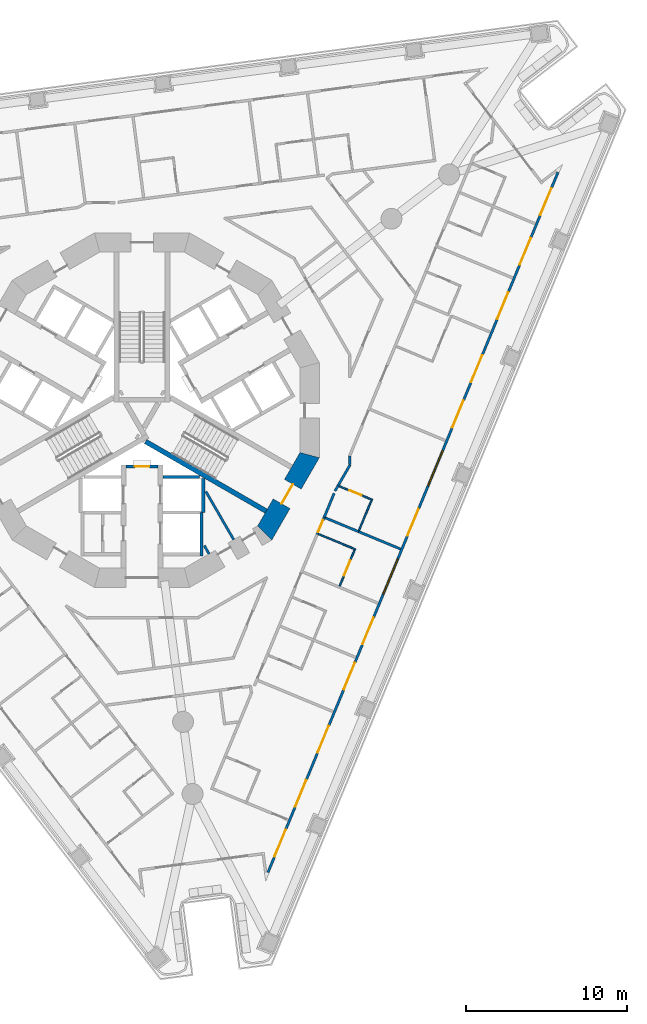
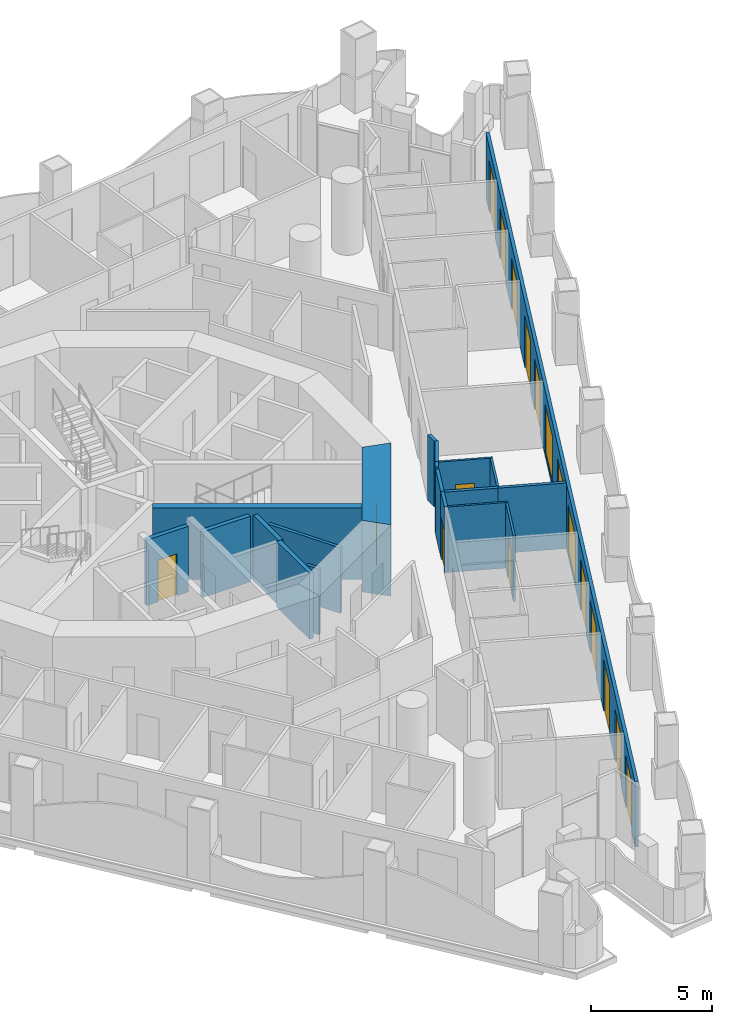
# One storey, part 5 of 19: 20 walls, 16 doors, 2 windows, 18 openings.
"""IFC4 building model written with IfcOpenShell, lengths in metres."""

from ifc_helpers import new_model, si_unit, direction, frame, frame_2d, origin, place, context, subcontext, project, spatial, polyline, rectangle, outline, extrude, material, layer, layer_set, type_object, element, fill, save


model = new_model("IFC4")

# Units and contexts
model_context = context("Model", 3, precision=1e-05, world=origin(), true_north=direction((0.0, 1.0)))
body_context = subcontext(model_context, "Body", "Model", "MODEL_VIEW")
ifc_project = project(units=[si_unit("LENGTHUNIT", "METRE"), si_unit("AREAUNIT", "SQUARE_METRE"), si_unit("VOLUMEUNIT", "CUBIC_METRE"), si_unit("PLANEANGLEUNIT", "RADIAN"), si_unit("MASSUNIT", "GRAM", prefix="KILO")], contexts=[model_context])

# Site, building, storey
site_placement = place(None, origin())
site = spatial("IfcSite", under=ifc_project, at=site_placement, CompositionType="ELEMENT")
building_placement = place(site_placement, origin())
building = spatial("IfcBuilding", under=site, at=building_placement, Name="Trine Commons Tower", CompositionType="ELEMENT")
storey_placement = place(building_placement, frame((0.0, 0.0, 72.0)))
storey = spatial("IfcBuildingStorey", under=building, at=storey_placement, Name="L17", CompositionType="ELEMENT", Elevation=72.0)

# Walls
ifc_material_1 = material(Name="Plasterboard partition on steel studs", Category="steel")
ifc_layer_1 = layer(ifc_material_1, 0.14990234375)
ifc_layer_set_1 = layer_set([ifc_layer_1], Name="Plasterboard partition on steel studs")
wall_type_1 = type_object("IfcWallType", Name="Core room partition 150 mm, EI 60", PredefinedType="PARTITIONING", material=ifc_layer_set_1)
wall_1_placement = place(storey_placement, frame((84.1640625, 53.574951171875, 0.0), z_axis=(0.0, 0.0, 1.0), x_axis=(-0.500665675203, 0.865640734759, 0.0)))
element("IfcWall", 1, at=wall_1_placement, inside=storey, type_object=wall_type_1, Name="Core room partition L17", PredefinedType="PARTITIONING", context=body_context, shape_type="SweptSolid", body=[
    extrude(rectangle(XDim=0.597412109375, YDim=0.14990234375, at=frame_2d((0.298828125, 0.0))), origin(), (0.0, 0.0, 1.0), 3.300048828125),
])
wall_2_placement = place(storey_placement, frame((85.693115234375, 54.4580078125, 0.0), z_axis=(0.0, 0.0, 1.0), x_axis=(-0.500258757272, 0.865875958653, 0.0)))
element("IfcWall", 2, at=wall_2_placement, inside=storey, type_object=wall_type_1, Name="Core room partition L17", PredefinedType="PARTITIONING", context=body_context, shape_type="SweptSolid", body=[
    extrude(rectangle(XDim=3.454345703125, YDim=0.14990234375, at=frame_2d((1.72705078125, 0.0))), origin(), (0.0, 0.0, 1.0), 3.300048828125),
])

# Wall, openings, windows, doors
ifc_material_2 = material(Name="Aluminium-framed insulated wall panel", Category="aluminium")
ifc_layer_2 = layer(ifc_material_2, 0.14990234375)
ifc_layer_set_2 = layer_set([ifc_layer_2], Name="Aluminium-framed insulated wall panel")
wall_type_2 = type_object("IfcWallType", Name="Glazed frame wall 150, EI 60", PredefinedType="SOLIDWALL", material=ifc_layer_set_2)
wall_3_placement = place(storey_placement, frame((105.888671875, 77.410888671875, 0.0), z_axis=(0.0, 0.0, 1.0), x_axis=(-0.38268395344, -0.923879316675, 0.0)))
wall_3 = element("IfcWall", 3, at=wall_3_placement, inside=storey, type_object=wall_type_2, Name="Glazed frame wall F2", PredefinedType="SOLIDWALL", context=body_context, shape_type="SweptSolid", body=[
    extrude(outline(polyline([(0.1494140625, 0.074951171875), (0.1494140625, -0.074951171875), (47.216796875, -0.074951171875), (47.216796875, 0.074951171875), (0.1494140625, 0.074951171875)])), origin(), (0.0, 0.0, 1.0), 3.300048828125),
])
opening_1_placement = place(wall_3_placement, frame((1.2216796875, 0.0, 0.0)))
opening_1 = element("IfcOpeningElement", 4, at=opening_1_placement, cuts=wall_3, Name="Opening BD-2F2-01", PredefinedType="OPENING", context=body_context, shape_type="SweptSolid", body=[
    extrude(rectangle(XDim=1.800048828125, YDim=2.60009765625, at=frame_2d((0.89990234375, 1.300048828125))), frame((0.0, 0.0849609375, 0.0), z_axis=(0.0, -1.0, 0.0), x_axis=(1.0, 0.0, 0.0)), (0.0, 0.0, 1.0), 0.169921875),
])
opening_2_placement = place(wall_3_placement, frame((4.5654296875, 0.0, 0.0)))
opening_2 = element("IfcOpeningElement", 5, at=opening_2_placement, cuts=wall_3, Name="Opening BD-2F2-02", PredefinedType="OPENING", context=body_context, shape_type="SweptSolid", body=[
    extrude(rectangle(XDim=1.800048828125, YDim=2.60009765625, at=frame_2d((0.89990234375, 1.300048828125))), frame((0.0, 0.0849609375, 0.0), z_axis=(0.0, -1.0, 0.0), x_axis=(1.0, 0.0, 0.0)), (0.0, 0.0, 1.0), 0.169921875),
])
opening_3_placement = place(wall_3_placement, frame((8.208984375, 0.0, 0.0)))
opening_3 = element("IfcOpeningElement", 6, at=opening_3_placement, cuts=wall_3, Name="Opening BD-2F2-03", PredefinedType="OPENING", context=body_context, shape_type="SweptSolid", body=[
    extrude(rectangle(XDim=1.800048828125, YDim=2.60009765625, at=frame_2d((0.89990234375, 1.300048828125))), frame((0.0, 0.0849609375, 0.0), z_axis=(0.0, -1.0, 0.0), x_axis=(1.0, 0.0, 0.0)), (0.0, 0.0, 1.0), 0.169921875),
])
opening_4_placement = place(wall_3_placement, frame((12.45263671875, 0.0, 0.0)))
opening_4 = element("IfcOpeningElement", 7, at=opening_4_placement, cuts=wall_3, Name="Opening BD-2F2-04", PredefinedType="OPENING", context=body_context, shape_type="SweptSolid", body=[
    extrude(rectangle(XDim=1.800048828125, YDim=2.60009765625, at=frame_2d((0.89990234375, 1.300048828125))), frame((0.0, 0.0849609375, 0.0), z_axis=(0.0, -1.0, 0.0), x_axis=(1.0, 0.0, 0.0)), (0.0, 0.0, 1.0), 0.169921875),
])
opening_5_placement = place(wall_3_placement, frame((15.49609375, 0.0, 0.0)))
opening_5 = element("IfcOpeningElement", 8, at=opening_5_placement, cuts=wall_3, Name="Opening BD-2F2-05", PredefinedType="OPENING", context=body_context, shape_type="SweptSolid", body=[
    extrude(rectangle(XDim=1.800048828125, YDim=2.60009765625, at=frame_2d((0.89990234375, 1.300048828125))), frame((0.0, 0.0849609375, 0.0), z_axis=(0.0, -1.0, 0.0), x_axis=(1.0, 0.0, 0.0)), (0.0, 0.0, 1.0), 0.169921875),
])
opening_6_placement = place(wall_3_placement, frame((18.83984375, 0.0, 0.14990234375)))
opening_6 = element("IfcOpeningElement", 9, at=opening_6_placement, cuts=wall_3, Name="Opening W-2F2-06", PredefinedType="OPENING", context=body_context, shape_type="SweptSolid", body=[
    extrude(rectangle(XDim=2.39990234375, YDim=2.449951171875, at=frame_2d((1.199951171875, 1.22509765625))), frame((0.0, 0.0849609375, 0.0), z_axis=(0.0, -1.0, 0.0), x_axis=(1.0, 0.0, 0.0)), (0.0, 0.0, 1.0), 0.169921875),
])
opening_7_placement = place(wall_3_placement, frame((22.783447265625, 0.0, 0.0)))
opening_7 = element("IfcOpeningElement", 10, at=opening_7_placement, cuts=wall_3, Name="Opening BD-2F2-07", PredefinedType="OPENING", context=body_context, shape_type="SweptSolid", body=[
    extrude(rectangle(XDim=1.800048828125, YDim=2.60009765625, at=frame_2d((0.89990234375, 1.300048828125))), frame((0.0, 0.0849609375, 0.0), z_axis=(0.0, -1.0, 0.0), x_axis=(1.0, 0.0, 0.0)), (0.0, 0.0, 1.0), 0.169921875),
])
opening_8_placement = place(wall_3_placement, frame((26.126953125, 0.0, 0.14990234375)))
opening_8 = element("IfcOpeningElement", 11, at=opening_8_placement, cuts=wall_3, Name="Opening W-2F2-08", PredefinedType="OPENING", context=body_context, shape_type="SweptSolid", body=[
    extrude(rectangle(XDim=2.39990234375, YDim=2.449951171875, at=frame_2d((1.199951171875, 1.22509765625))), frame((0.0, 0.0849609375, 0.0), z_axis=(0.0, -1.0, 0.0), x_axis=(1.0, 0.0, 0.0)), (0.0, 0.0, 1.0), 0.169921875),
])
opening_9_placement = place(wall_3_placement, frame((30.070556640625, 0.0, 0.0)))
opening_9 = element("IfcOpeningElement", 12, at=opening_9_placement, cuts=wall_3, Name="Opening BD-2F2-09", PredefinedType="OPENING", context=body_context, shape_type="SweptSolid", body=[
    extrude(rectangle(XDim=1.800048828125, YDim=2.60009765625, at=frame_2d((0.89990234375, 1.300048828125))), frame((0.0, 0.0849609375, 0.0), z_axis=(0.0, -1.0, 0.0), x_axis=(1.0, 0.0, 0.0)), (0.0, 0.0, 1.0), 0.169921875),
])
opening_10_placement = place(wall_3_placement, frame((33.1142578125, 0.0, 0.0)))
opening_10 = element("IfcOpeningElement", 13, at=opening_10_placement, cuts=wall_3, Name="Opening BD-2F2-10", PredefinedType="OPENING", context=body_context, shape_type="SweptSolid", body=[
    extrude(rectangle(XDim=1.800048828125, YDim=2.60009765625, at=frame_2d((0.89990234375, 1.300048828125))), frame((0.0, 0.0849609375, 0.0), z_axis=(0.0, -1.0, 0.0), x_axis=(1.0, 0.0, 0.0)), (0.0, 0.0, 1.0), 0.169921875),
])
opening_11_placement = place(wall_3_placement, frame((37.35791015625, 0.0, 0.0)))
opening_11 = element("IfcOpeningElement", 14, at=opening_11_placement, cuts=wall_3, Name="Opening BD-2F2-11", PredefinedType="OPENING", context=body_context, shape_type="SweptSolid", body=[
    extrude(rectangle(XDim=1.800048828125, YDim=2.60009765625, at=frame_2d((0.89990234375, 1.300048828125))), frame((0.0, 0.0849609375, 0.0), z_axis=(0.0, -1.0, 0.0), x_axis=(1.0, 0.0, 0.0)), (0.0, 0.0, 1.0), 0.169921875),
])
opening_12_placement = place(wall_3_placement, frame((41.00146484375, 0.0, 0.0)))
opening_12 = element("IfcOpeningElement", 15, at=opening_12_placement, cuts=wall_3, Name="Opening BD-2F2-12", PredefinedType="OPENING", context=body_context, shape_type="SweptSolid", body=[
    extrude(rectangle(XDim=1.800048828125, YDim=2.60009765625, at=frame_2d((0.89990234375, 1.300048828125))), frame((0.0, 0.0849609375, 0.0), z_axis=(0.0, -1.0, 0.0), x_axis=(1.0, 0.0, 0.0)), (0.0, 0.0, 1.0), 0.169921875),
])
opening_13_placement = place(wall_3_placement, frame((44.344970703125, 0.0, 0.0)))
opening_13 = element("IfcOpeningElement", 16, at=opening_13_placement, cuts=wall_3, Name="Opening BD-2F2-13", PredefinedType="OPENING", context=body_context, shape_type="SweptSolid", body=[
    extrude(rectangle(XDim=1.800048828125, YDim=2.60009765625, at=frame_2d((0.89990234375, 1.300048828125))), frame((0.0, 0.0849609375, 0.0), z_axis=(0.0, -1.0, 0.0), x_axis=(1.0, 0.0, 0.0)), (0.0, 0.0, 1.0), 0.169921875),
])
ifc_material_3 = material(Name="Anodised aluminium frame with double glazing", Category="aluminium")
window_type = type_object("IfcWindowType", Name="Fixed window 2400x2450", PartitioningType="SINGLE_PANEL", PredefinedType="WINDOW", material=ifc_material_3)
window_1_placement = place(opening_6_placement, origin())
window_1 = element("IfcWindow", 17, at=window_1_placement, inside=storey, type_object=window_type, Name="Window F2 6", OverallHeight=2.449951171875, OverallWidth=2.39990234375, PartitioningType="SINGLE_PANEL", PredefinedType="WINDOW", context=body_context, shape_type="SweptSolid", body=[
    extrude(rectangle(XDim=2.39990234375, YDim=2.449951171875, at=frame_2d((1.199951171875, 1.22509765625))), frame((0.0, 0.030029296875, 0.0), z_axis=(0.0, -1.0, 0.0), x_axis=(1.0, 0.0, 0.0)), (0.0, 0.0, 1.0), 0.06005859375),
])
fill(opening_6, window_1)
window_2_placement = place(opening_8_placement, origin())
window_2 = element("IfcWindow", 18, at=window_2_placement, inside=storey, type_object=window_type, Name="Window F2 8", OverallHeight=2.449951171875, OverallWidth=2.39990234375, PartitioningType="SINGLE_PANEL", PredefinedType="WINDOW", context=body_context, shape_type="SweptSolid", body=[
    extrude(rectangle(XDim=2.39990234375, YDim=2.449951171875, at=frame_2d((1.199951171875, 1.22509765625))), frame((0.0, 0.030029296875, 0.0), z_axis=(0.0, -1.0, 0.0), x_axis=(1.0, 0.0, 0.0)), (0.0, 0.0, 1.0), 0.06005859375),
])
fill(opening_8, window_2)
door_type_1 = type_object("IfcDoorType", Name="Sliding loggia door 1800x2600", OperationType="SLIDING_TO_LEFT", PredefinedType="DOOR", material=ifc_material_3)
door_1_placement = place(opening_1_placement, origin())
door_1 = element("IfcDoor", 19, at=door_1_placement, inside=storey, type_object=door_type_1, Name="Loggia door F2 1", OperationType="SLIDING_TO_LEFT", OverallHeight=2.60009765625, OverallWidth=1.800048828125, PredefinedType="DOOR", context=body_context, shape_type="SweptSolid", body=[
    extrude(rectangle(XDim=1.800048828125, YDim=2.60009765625, at=frame_2d((0.89990234375, 1.300048828125))), frame((0.0, 0.02490234375, 0.0), z_axis=(0.0, -1.0, 0.0), x_axis=(1.0, 0.0, 0.0)), (0.0, 0.0, 1.0), 0.050048828125),
])
fill(opening_1, door_1)
door_2_placement = place(opening_2_placement, origin())
door_2 = element("IfcDoor", 20, at=door_2_placement, inside=storey, type_object=door_type_1, Name="Loggia door F2 2", OperationType="SLIDING_TO_LEFT", OverallHeight=2.60009765625, OverallWidth=1.800048828125, PredefinedType="DOOR", context=body_context, shape_type="SweptSolid", body=[
    extrude(rectangle(XDim=1.800048828125, YDim=2.60009765625, at=frame_2d((0.89990234375, 1.300048828125))), frame((0.0, 0.02490234375, 0.0), z_axis=(0.0, -1.0, 0.0), x_axis=(1.0, 0.0, 0.0)), (0.0, 0.0, 1.0), 0.050048828125),
])
fill(opening_2, door_2)
door_3_placement = place(opening_3_placement, origin())
door_3 = element("IfcDoor", 21, at=door_3_placement, inside=storey, type_object=door_type_1, Name="Loggia door F2 3", OperationType="SLIDING_TO_LEFT", OverallHeight=2.60009765625, OverallWidth=1.800048828125, PredefinedType="DOOR", context=body_context, shape_type="SweptSolid", body=[
    extrude(rectangle(XDim=1.800048828125, YDim=2.60009765625, at=frame_2d((0.89990234375, 1.300048828125))), frame((0.0, 0.02490234375, 0.0), z_axis=(0.0, -1.0, 0.0), x_axis=(1.0, 0.0, 0.0)), (0.0, 0.0, 1.0), 0.050048828125),
])
fill(opening_3, door_3)
door_4_placement = place(opening_4_placement, origin())
door_4 = element("IfcDoor", 22, at=door_4_placement, inside=storey, type_object=door_type_1, Name="Loggia door F2 4", OperationType="SLIDING_TO_LEFT", OverallHeight=2.60009765625, OverallWidth=1.800048828125, PredefinedType="DOOR", context=body_context, shape_type="SweptSolid", body=[
    extrude(rectangle(XDim=1.800048828125, YDim=2.60009765625, at=frame_2d((0.89990234375, 1.300048828125))), frame((0.0, 0.02490234375, 0.0), z_axis=(0.0, -1.0, 0.0), x_axis=(1.0, 0.0, 0.0)), (0.0, 0.0, 1.0), 0.050048828125),
])
fill(opening_4, door_4)
door_5_placement = place(opening_5_placement, origin())
door_5 = element("IfcDoor", 23, at=door_5_placement, inside=storey, type_object=door_type_1, Name="Loggia door F2 5", OperationType="SLIDING_TO_LEFT", OverallHeight=2.60009765625, OverallWidth=1.800048828125, PredefinedType="DOOR", context=body_context, shape_type="SweptSolid", body=[
    extrude(rectangle(XDim=1.800048828125, YDim=2.60009765625, at=frame_2d((0.89990234375, 1.300048828125))), frame((0.0, 0.02490234375, 0.0), z_axis=(0.0, -1.0, 0.0), x_axis=(1.0, 0.0, 0.0)), (0.0, 0.0, 1.0), 0.050048828125),
])
fill(opening_5, door_5)
door_6_placement = place(opening_7_placement, origin())
door_6 = element("IfcDoor", 24, at=door_6_placement, inside=storey, type_object=door_type_1, Name="Loggia door F2 7", OperationType="SLIDING_TO_LEFT", OverallHeight=2.60009765625, OverallWidth=1.800048828125, PredefinedType="DOOR", context=body_context, shape_type="SweptSolid", body=[
    extrude(rectangle(XDim=1.800048828125, YDim=2.60009765625, at=frame_2d((0.89990234375, 1.300048828125))), frame((0.0, 0.02490234375, 0.0), z_axis=(0.0, -1.0, 0.0), x_axis=(1.0, 0.0, 0.0)), (0.0, 0.0, 1.0), 0.050048828125),
])
fill(opening_7, door_6)
door_7_placement = place(opening_9_placement, origin())
door_7 = element("IfcDoor", 25, at=door_7_placement, inside=storey, type_object=door_type_1, Name="Loggia door F2 9", OperationType="SLIDING_TO_LEFT", OverallHeight=2.60009765625, OverallWidth=1.800048828125, PredefinedType="DOOR", context=body_context, shape_type="SweptSolid", body=[
    extrude(rectangle(XDim=1.800048828125, YDim=2.60009765625, at=frame_2d((0.89990234375, 1.300048828125))), frame((0.0, 0.02490234375, 0.0), z_axis=(0.0, -1.0, 0.0), x_axis=(1.0, 0.0, 0.0)), (0.0, 0.0, 1.0), 0.050048828125),
])
fill(opening_9, door_7)
door_8_placement = place(opening_10_placement, origin())
door_8 = element("IfcDoor", 26, at=door_8_placement, inside=storey, type_object=door_type_1, Name="Loggia door F2 10", OperationType="SLIDING_TO_LEFT", OverallHeight=2.60009765625, OverallWidth=1.800048828125, PredefinedType="DOOR", context=body_context, shape_type="SweptSolid", body=[
    extrude(rectangle(XDim=1.800048828125, YDim=2.60009765625, at=frame_2d((0.89990234375, 1.300048828125))), frame((0.0, 0.02490234375, 0.0), z_axis=(0.0, -1.0, 0.0), x_axis=(1.0, 0.0, 0.0)), (0.0, 0.0, 1.0), 0.050048828125),
])
fill(opening_10, door_8)
door_9_placement = place(opening_11_placement, origin())
door_9 = element("IfcDoor", 27, at=door_9_placement, inside=storey, type_object=door_type_1, Name="Loggia door F2 11", OperationType="SLIDING_TO_LEFT", OverallHeight=2.60009765625, OverallWidth=1.800048828125, PredefinedType="DOOR", context=body_context, shape_type="SweptSolid", body=[
    extrude(rectangle(XDim=1.800048828125, YDim=2.60009765625, at=frame_2d((0.89990234375, 1.300048828125))), frame((0.0, 0.02490234375, 0.0), z_axis=(0.0, -1.0, 0.0), x_axis=(1.0, 0.0, 0.0)), (0.0, 0.0, 1.0), 0.050048828125),
])
fill(opening_11, door_9)
door_10_placement = place(opening_12_placement, origin())
door_10 = element("IfcDoor", 28, at=door_10_placement, inside=storey, type_object=door_type_1, Name="Loggia door F2 12", OperationType="SLIDING_TO_LEFT", OverallHeight=2.60009765625, OverallWidth=1.800048828125, PredefinedType="DOOR", context=body_context, shape_type="SweptSolid", body=[
    extrude(rectangle(XDim=1.800048828125, YDim=2.60009765625, at=frame_2d((0.89990234375, 1.300048828125))), frame((0.0, 0.02490234375, 0.0), z_axis=(0.0, -1.0, 0.0), x_axis=(1.0, 0.0, 0.0)), (0.0, 0.0, 1.0), 0.050048828125),
])
fill(opening_12, door_10)
door_11_placement = place(opening_13_placement, origin())
door_11 = element("IfcDoor", 29, at=door_11_placement, inside=storey, type_object=door_type_1, Name="Loggia door F2 13", OperationType="SLIDING_TO_LEFT", OverallHeight=2.60009765625, OverallWidth=1.800048828125, PredefinedType="DOOR", context=body_context, shape_type="SweptSolid", body=[
    extrude(rectangle(XDim=1.800048828125, YDim=2.60009765625, at=frame_2d((0.89990234375, 1.300048828125))), frame((0.0, 0.02490234375, 0.0), z_axis=(0.0, -1.0, 0.0), x_axis=(1.0, 0.0, 0.0)), (0.0, 0.0, 1.0), 0.050048828125),
])
fill(opening_13, door_11)

# Wall, opening, door
ifc_material_4 = material(Name="Fire-rated gypsum shaft wall system")
ifc_layer_3 = layer(ifc_material_4, 0.199951171875)
ifc_layer_set_3 = layer_set([ifc_layer_3], Name="Fire-rated gypsum shaft wall system")
wall_type_3 = type_object("IfcWallType", Name="Lobby end wall 200 mm, EI 120", PredefinedType="PARTITIONING", material=ifc_layer_set_3)
wall_4_placement = place(storey_placement, frame((79.0, 59.0, 0.0), z_axis=(0.0, 0.0, 1.0), x_axis=(1.0, 0.0, 0.0)))
wall_4 = element("IfcWall", 30, at=wall_4_placement, inside=storey, type_object=wall_type_3, Name="Lobby end wall L17", PredefinedType="PARTITIONING", context=body_context, shape_type="SweptSolid", body=[
    extrude(rectangle(XDim=2.0, YDim=0.199951171875, at=frame_2d((1.0, 0.0))), origin(), (0.0, 0.0, 1.0), 3.300048828125),
])
opening_14_placement = place(wall_4_placement, frame((0.550048828125, 0.0, 0.0)))
opening_14 = element("IfcOpeningElement", 31, at=opening_14_placement, cuts=wall_4, Name="Opening K04.09", PredefinedType="OPENING", context=body_context, shape_type="SweptSolid", body=[
    extrude(rectangle(XDim=0.89990234375, YDim=2.10009765625, at=frame_2d((0.449951171875, 1.050048828125))), frame((0.0, 0.10986328125, 0.0), z_axis=(0.0, -1.0, 0.0), x_axis=(1.0, 0.0, 0.0)), (0.0, 0.0, 1.0), 0.219970703125),
])
ifc_material_5 = material(Name="Steel door leaf, fire-rated", Category="steel")
door_type_2 = type_object("IfcDoorType", Name="Riser access door, single leaf 900 x 2100, FD60", OperationType="SINGLE_SWING_LEFT", PredefinedType="DOOR", material=ifc_material_5)
door_12_placement = place(opening_14_placement, frame((0.89990234375, 0.0, 0.0), z_axis=(0.0, 0.0, 1.0), x_axis=(-1.0, 0.0, 0.0)))
door_12 = element("IfcDoor", 32, at=door_12_placement, inside=storey, type_object=door_type_2, Name="Riser door, Communications riser L17", OperationType="SINGLE_SWING_RIGHT", OverallHeight=2.10009765625, OverallWidth=0.89990234375, PredefinedType="DOOR", context=body_context, shape_type="SweptSolid", body=[
    extrude(rectangle(XDim=0.89990234375, YDim=2.10009765625, at=frame_2d((0.449951171875, 1.050048828125))), frame((0.0, 0.02490234375, 0.0), z_axis=(0.0, -1.0, 0.0), x_axis=(1.0, 0.0, 0.0)), (0.0, 0.0, 1.0), 0.050048828125),
])
fill(opening_14, door_12)

ifc_material_6 = material(Name="Concrete C80/95", Category="concrete")
ifc_layer_4 = layer(ifc_material_6, 1.199951171875)
ifc_layer_set_4 = layer_set([ifc_layer_4], Name="Concrete C80/95")
wall_type_4 = type_object("IfcWallType", Name="RC shear wall 1200 mm, C80/95", PredefinedType="SHEAR", material=ifc_layer_set_4)
wall_5_placement = place(storey_placement, frame((87.54150390625, 54.739013671875, 0.0), z_axis=(0.0, 0.0, 1.0), x_axis=(0.499979111662, 0.866037463336, 0.0)))
wall_5 = element("IfcWall", 33, at=wall_5_placement, inside=storey, type_object=wall_type_4, Name="Core wall CWB-12 L17", PredefinedType="SHEAR", context=body_context, shape_type="SweptSolid", body=[
    extrude(outline(polyline([(0.0, -0.60009765625), (5.901123046875, -0.60009765625), (5.57958984375, 0.60009765625), (0.321533203125, 0.60009765625), (0.0, -0.60009765625)])), origin(), (0.0, 0.0, 1.0), 3.60009765625),
])
opening_15_placement = place(wall_5_placement, frame((2.25048828125, 0.0, 0.0)))
opening_15 = element("IfcOpeningElement", 34, at=opening_15_placement, cuts=wall_5, Name="Opening K04.03", PredefinedType="OPENING", context=body_context, shape_type="SweptSolid", body=[
    extrude(rectangle(XDim=1.39990234375, YDim=2.10009765625, at=frame_2d((0.699951171875, 1.050048828125))), frame((0.0, 0.60986328125, 0.0), z_axis=(0.0, -1.0, 0.0), x_axis=(1.0, 0.0, 0.0)), (0.0, 0.0, 1.0), 1.219970703125),
])
ifc_material_7 = material(Name="Steel door leaves, fire-rated", Category="steel")
door_type_3 = type_object("IfcDoorType", Name="Stair door, double leaf 1400 x 2100, FD90", OperationType="DOUBLE_DOOR_SINGLE_SWING", PredefinedType="DOOR", material=ifc_material_7)
door_13_placement = place(opening_15_placement, origin())
door_13 = element("IfcDoor", 35, at=door_13_placement, inside=storey, type_object=door_type_3, Name="Stair door to Exit stair ST3A L17", OperationType="DOUBLE_DOOR_SINGLE_SWING", OverallHeight=2.10009765625, OverallWidth=1.39990234375, PredefinedType="DOOR", context=body_context, shape_type="SweptSolid", body=[
    extrude(rectangle(XDim=1.39990234375, YDim=2.10009765625, at=frame_2d((0.699951171875, 1.050048828125))), frame((0.0, 0.02490234375, 0.0), z_axis=(0.0, -1.0, 0.0), x_axis=(1.0, 0.0, 0.0)), (0.0, 0.0, 1.0), 0.050048828125),
])
fill(opening_15, door_13)

# Walls
ifc_layer_5 = layer(ifc_material_6, 0.300048828125)
ifc_layer_set_5 = layer_set([ifc_layer_5], Name="Concrete C80/95")
wall_type_5 = type_object("IfcWallType", Name="RC shear wall 300 mm, C80/95", PredefinedType="SHEAR", material=ifc_layer_set_5)
wall_6_placement = place(storey_placement, frame((80.22509765625, 60.552001953125, 0.0), z_axis=(0.0, 0.0, 1.0), x_axis=(0.865965399159, -0.500103916661, 0.0)))
element("IfcWall", 36, at=wall_6_placement, inside=storey, type_object=wall_type_5, Name="Core cross wall SWA-13 L17", PredefinedType="SHEAR", context=body_context, shape_type="SweptSolid", body=[
    extrude(rectangle(XDim=8.642333984375, YDim=0.300048828125, at=frame_2d((4.3212890625, 0.0))), origin(), (0.0, 0.0, 1.0), 3.60009765625),
])
ifc_layer_6 = layer(ifc_material_4, 0.199951171875)
ifc_layer_set_6 = layer_set([ifc_layer_6], Name="Fire-rated gypsum shaft wall system")
wall_type_6 = type_object("IfcWallType", Name="Shaft wall 200 mm, EI 120", PredefinedType="PARTITIONING", material=ifc_layer_set_6)
wall_7_placement = place(storey_placement, frame((81.300048828125, 58.35009765625, 0.0), z_axis=(0.0, 0.0, 1.0), x_axis=(1.0, 0.0, 0.0)))
element("IfcWall", 37, at=wall_7_placement, inside=storey, type_object=wall_type_6, Name="Shaft wall L17", PredefinedType="PARTITIONING", context=body_context, shape_type="SweptSolid", body=[
    extrude(rectangle(XDim=2.264892578125, YDim=0.199951171875, at=frame_2d((1.13232421875, 0.0))), origin(), (0.0, 0.0, 1.0), 3.300048828125),
])
wall_8_placement = place(storey_placement, frame((83.699951171875, 56.14990234375, 0.0), z_axis=(0.0, 0.0, 1.0), x_axis=(0.0, -1.0, 0.0)))
element("IfcWall", 38, at=wall_8_placement, inside=storey, type_object=wall_type_6, Name="Shaft wall L17", PredefinedType="PARTITIONING", context=body_context, shape_type="SweptSolid", body=[
    extrude(rectangle(XDim=2.699951171875, YDim=0.199951171875, at=frame_2d((1.35009765625, 0.0))), origin(), (0.0, 0.0, 1.0), 3.300048828125),
])
wall_9_placement = place(storey_placement, frame((83.800048828125, 58.256103515625, 0.0), z_axis=(0.0, 0.0, 1.0), x_axis=(0.0, -1.0, 0.0)))
element("IfcWall", 39, at=wall_9_placement, inside=storey, type_object=wall_type_6, Name="Shaft wall L17", PredefinedType="PARTITIONING", context=body_context, shape_type="SweptSolid", body=[
    extrude(rectangle(XDim=2.106201171875, YDim=0.199951171875, at=frame_2d((1.05322265625, 0.0))), origin(), (0.0, 0.0, 1.0), 3.300048828125),
])

# Wall, opening, door
ifc_material_8 = material(Name="Gypsum plasterboard on steel stud", Category="steel")
ifc_layer_7 = layer(ifc_material_8, 0.14990234375)
ifc_layer_set_7 = layer_set([ifc_layer_7], Name="Gypsum plasterboard on steel stud")
wall_type_7 = type_object("IfcWallType", Name="Unit and corridor wall 150 mm, EI 60", PredefinedType="PARTITIONING", material=ifc_layer_set_7)
wall_10_placement = place(storey_placement, frame((90.871826171875, 54.78271484375, 0.0), z_axis=(0.0, 0.0, 1.0), x_axis=(0.382220720008, 0.924071058521, 0.0)))
wall_10 = element("IfcWall", 40, at=wall_10_placement, inside=storey, type_object=wall_type_7, Name="Partition 122", PredefinedType="PARTITIONING", context=body_context, shape_type="SweptSolid", body=[
    extrude(rectangle(XDim=1.151611328125, YDim=0.14990234375, at=frame_2d((0.57568359375, 0.0))), origin(), (0.0, 0.0, 1.0), 3.300048828125),
])
opening_16_placement = place(wall_10_placement, frame((0.161865234375, 0.0, 0.0)))
opening_16 = element("IfcOpeningElement", 41, at=opening_16_placement, cuts=wall_10, Name="Opening D-2C20", PredefinedType="OPENING", context=body_context, shape_type="SweptSolid", body=[
    extrude(rectangle(XDim=0.800048828125, YDim=2.10009765625, at=frame_2d((0.39990234375, 1.050048828125))), frame((0.0, 0.0849609375, 0.0), z_axis=(0.0, -1.0, 0.0), x_axis=(1.0, 0.0, 0.0)), (0.0, 0.0, 1.0), 0.169921875),
])
ifc_material_9 = material(Name="Timber fire door set", Category="wood")
door_type_4 = type_object("IfcDoorType", Name="Bedroom door 800 x 2100, FD30S", OperationType="NOTDEFINED", PredefinedType="DOOR", material=ifc_material_9)
door_14_placement = place(opening_16_placement, frame((0.800048828125, 0.0, 0.0), z_axis=(0.0, 0.0, 1.0), x_axis=(-1.0, 0.0, 0.0)))
door_14 = element("IfcDoor", 42, at=door_14_placement, inside=storey, type_object=door_type_4, Name="Door D-2C20", OperationType="SINGLE_SWING_RIGHT", OverallHeight=2.10009765625, OverallWidth=0.800048828125, PredefinedType="DOOR", context=body_context, shape_type="SweptSolid", body=[
    extrude(rectangle(XDim=0.800048828125, YDim=2.10009765625, at=frame_2d((0.39990234375, 1.050048828125))), frame((0.0, 0.02490234375, 0.0), z_axis=(0.0, -1.0, 0.0), x_axis=(1.0, 0.0, 0.0)), (0.0, 0.0, 1.0), 0.050048828125),
])
fill(opening_16, door_14)

# Walls
wall_11_placement = place(storey_placement, frame((91.2802734375, 55.769775390625, 0.0), z_axis=(0.0, 0.0, 1.0), x_axis=(0.382865069258, 0.923804275127, 0.0)))
element("IfcWall", 43, at=wall_11_placement, inside=storey, type_object=wall_type_7, Name="Partition 126", PredefinedType="PARTITIONING", context=body_context, shape_type="SweptSolid", body=[
    extrude(rectangle(XDim=1.6943359375, YDim=0.14990234375, at=frame_2d((0.84716796875, 0.0))), origin(), (0.0, 0.0, 1.0), 3.300048828125),
])
wall_12_placement = place(storey_placement, frame((91.38037109375, 55.814208984375, 0.0), z_axis=(0.0, 0.0, 1.0), x_axis=(0.923815658233, -0.382837602128, 0.0)))
element("IfcWall", 44, at=wall_12_placement, inside=storey, type_object=wall_type_7, Name="Partition 127", PredefinedType="PARTITIONING", context=body_context, shape_type="SweptSolid", body=[
    extrude(rectangle(XDim=2.23388671875, YDim=0.14990234375, at=frame_2d((1.116943359375, 0.0))), origin(), (0.0, 0.0, 1.0), 3.300048828125),
])
wall_13_placement = place(storey_placement, frame((91.98193359375, 57.48046875, 0.0), z_axis=(0.0, 0.0, 1.0), x_axis=(0.500603037456, 0.865676959893, 0.0)))
element("IfcWall", 45, at=wall_13_placement, inside=storey, type_object=wall_type_7, Name="Partition 131", PredefinedType="PARTITIONING", context=body_context, shape_type="SweptSolid", body=[
    extrude(rectangle(XDim=0.39990234375, YDim=0.14990234375, at=frame_2d((0.199951171875, 0.0))), origin(), (0.0, 0.0, 1.0), 3.300048828125),
])
wall_14_placement = place(storey_placement, frame((92.14697265625, 57.765625, 0.0), z_axis=(0.0, 0.0, 1.0), x_axis=(0.500175555549, 0.865924023013, 0.0)))
element("IfcWall", 46, at=wall_14_placement, inside=storey, type_object=wall_type_7, Name="Partition 132", PredefinedType="PARTITIONING", context=body_context, shape_type="SweptSolid", body=[
    extrude(rectangle(XDim=1.5546875, YDim=0.14990234375, at=frame_2d((0.77734375, 0.0))), origin(), (0.0, 0.0, 1.0), 3.300048828125),
])
wall_15_placement = place(storey_placement, frame((92.886962890625, 59.1220703125, 0.0), z_axis=(0.0, 0.0, 1.0), x_axis=(0.0, 1.0, 0.0)))
element("IfcWall", 47, at=wall_15_placement, inside=storey, type_object=wall_type_7, Name="Partition 138", PredefinedType="PARTITIONING", context=body_context, shape_type="SweptSolid", body=[
    extrude(rectangle(XDim=0.535888671875, YDim=0.14990234375, at=frame_2d((0.26806640625, 0.0))), origin(), (0.0, 0.0, 1.0), 3.300048828125),
])
wall_16_placement = place(storey_placement, frame((93.444091796875, 54.958984375, 0.0), z_axis=(0.0, 0.0, 1.0), x_axis=(0.92392958519, -0.382562572152, 0.0)))
element("IfcWall", 48, at=wall_16_placement, inside=storey, type_object=wall_type_7, Name="Partition 144", PredefinedType="PARTITIONING", context=body_context, shape_type="SweptSolid", body=[
    extrude(rectangle(XDim=2.830322265625, YDim=0.14990234375, at=frame_2d((1.4150390625, 0.0))), origin(), (0.0, 0.0, 1.0), 3.300048828125),
])
ifc_layer_8 = layer(ifc_material_8, 0.10009765625)
ifc_layer_set_8 = layer_set([ifc_layer_8], Name="Gypsum plasterboard on steel stud")
wall_type_8 = type_object("IfcWallType", Name="Unit partition 100 mm, no rating", PredefinedType="PARTITIONING", material=ifc_layer_set_8)
wall_17_placement = place(storey_placement, frame((90.96240234375, 54.80322265625, 0.0), z_axis=(0.0, 0.0, 1.0), x_axis=(0.923920221762, -0.38258518505, 0.0)))
element("IfcWall", 49, at=wall_17_placement, inside=storey, type_object=wall_type_8, Name="Partition 123", PredefinedType="PARTITIONING", context=body_context, shape_type="SweptSolid", body=[
    extrude(rectangle(XDim=2.494384765625, YDim=0.10009765625, at=frame_2d((1.2470703125, 0.0))), origin(), (0.0, 0.0, 1.0), 3.300048828125),
])

# Wall, opening, door
wall_18_placement = place(storey_placement, frame((92.243408203125, 57.783203125, 0.0), z_axis=(0.0, 0.0, 1.0), x_axis=(0.923868073298, -0.382711096181, 0.0)))
wall_18 = element("IfcWall", 50, at=wall_18_placement, inside=storey, type_object=wall_type_8, Name="Partition 133", PredefinedType="PARTITIONING", context=body_context, shape_type="SweptSolid", body=[
    extrude(rectangle(XDim=2.240478515625, YDim=0.10009765625, at=frame_2d((1.1201171875, 0.0))), origin(), (0.0, 0.0, 1.0), 3.300048828125),
])
opening_17_placement = place(wall_18_placement, frame((0.6953125, 0.0, 0.0)))
opening_17 = element("IfcOpeningElement", 51, at=opening_17_placement, cuts=wall_18, Name="Opening D-2C52", PredefinedType="OPENING", context=body_context, shape_type="SweptSolid", body=[
    extrude(rectangle(XDim=0.800048828125, YDim=2.10009765625, at=frame_2d((0.39990234375, 1.050048828125))), frame((0.0, 0.06005859375, 0.0), z_axis=(0.0, -1.0, 0.0), x_axis=(1.0, 0.0, 0.0)), (0.0, 0.0, 1.0), 0.1201171875),
])
ifc_material_10 = material(Name="Painted timber", Category="wood")
door_type_5 = type_object("IfcDoorType", Name="Internal door 800 x 2100, NOT RATED", OperationType="NOTDEFINED", PredefinedType="DOOR", material=ifc_material_10)
door_15_placement = place(opening_17_placement, origin())
door_15 = element("IfcDoor", 52, at=door_15_placement, inside=storey, type_object=door_type_5, Name="Door D-2C52", OperationType="SINGLE_SWING_LEFT", OverallHeight=2.10009765625, OverallWidth=0.800048828125, PredefinedType="DOOR", context=body_context, shape_type="SweptSolid", body=[
    extrude(rectangle(XDim=0.800048828125, YDim=2.10009765625, at=frame_2d((0.39990234375, 1.050048828125))), frame((0.0, 0.02490234375, 0.0), z_axis=(0.0, -1.0, 0.0), x_axis=(1.0, 0.0, 0.0)), (0.0, 0.0, 1.0), 0.050048828125),
])
fill(opening_17, door_15)

wall_19_placement = place(storey_placement, frame((92.273681640625, 51.581298828125, 0.0), z_axis=(0.0, 0.0, 1.0), x_axis=(0.382748920082, 0.923852403891, 0.0)))
wall_19 = element("IfcWall", 53, at=wall_19_placement, inside=storey, type_object=wall_type_8, Name="Partition 134", PredefinedType="PARTITIONING", context=body_context, shape_type="SweptSolid", body=[
    extrude(rectangle(XDim=2.425048828125, YDim=0.10009765625, at=frame_2d((1.21240234375, 0.0))), origin(), (0.0, 0.0, 1.0), 3.300048828125),
])
opening_18_placement = place(wall_19_placement, frame((0.71240234375, 0.0, 0.0)))
opening_18 = element("IfcOpeningElement", 54, at=opening_18_placement, cuts=wall_19, Name="Opening D-2C53", PredefinedType="OPENING", context=body_context, shape_type="SweptSolid", body=[
    extrude(rectangle(XDim=1.0, YDim=2.10009765625, at=frame_2d((0.5, 1.050048828125))), frame((0.0, 0.06005859375, 0.0), z_axis=(0.0, -1.0, 0.0), x_axis=(1.0, 0.0, 0.0)), (0.0, 0.0, 1.0), 0.1201171875),
])
door_type_6 = type_object("IfcDoorType", Name="Internal door 1000 x 2100, NOT RATED", OperationType="NOTDEFINED", PredefinedType="DOOR", material=ifc_material_10)
door_16_placement = place(opening_18_placement, frame((1.0, 0.0, 0.0), z_axis=(0.0, 0.0, 1.0), x_axis=(-1.0, 0.0, 0.0)))
door_16 = element("IfcDoor", 55, at=door_16_placement, inside=storey, type_object=door_type_6, Name="Door D-2C53", OperationType="SINGLE_SWING_RIGHT", OverallHeight=2.10009765625, OverallWidth=1.0, PredefinedType="DOOR", context=body_context, shape_type="SweptSolid", body=[
    extrude(rectangle(XDim=1.0, YDim=2.10009765625, at=frame_2d((0.5, 1.050048828125))), frame((0.0, 0.02490234375, 0.0), z_axis=(0.0, -1.0, 0.0), x_axis=(1.0, 0.0, 0.0)), (0.0, 0.0, 1.0), 0.050048828125),
])
fill(opening_18, door_16)

# Wall
wall_20_placement = place(storey_placement, frame((93.47265625, 55.0283203125, 0.0), z_axis=(0.0, 0.0, 1.0), x_axis=(0.382859418939, 0.923806616847, 0.0)))
element("IfcWall", 56, at=wall_20_placement, inside=storey, type_object=wall_type_8, Name="Partition 143", PredefinedType="PARTITIONING", context=body_context, shape_type="SweptSolid", body=[
    extrude(rectangle(XDim=2.024658203125, YDim=0.10009765625, at=frame_2d((1.01220703125, 0.0))), origin(), (0.0, 0.0, 1.0), 3.300048828125),
])

save(model, "model.ifc")
